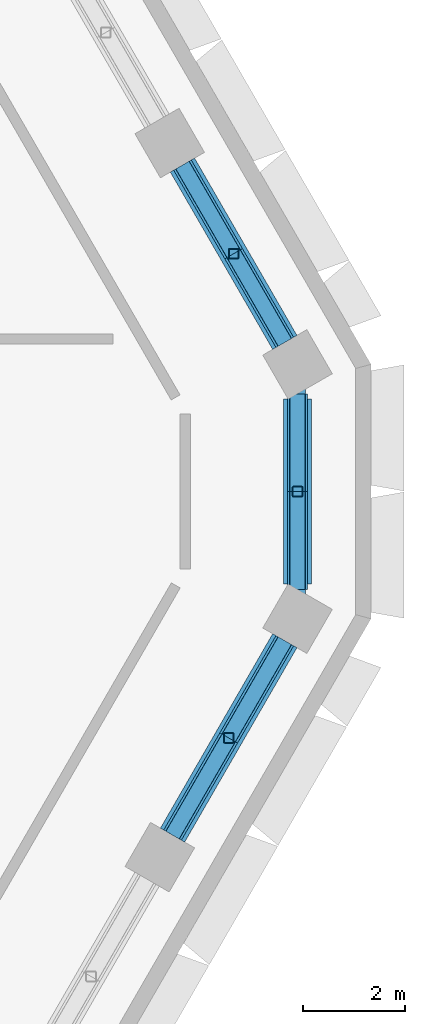
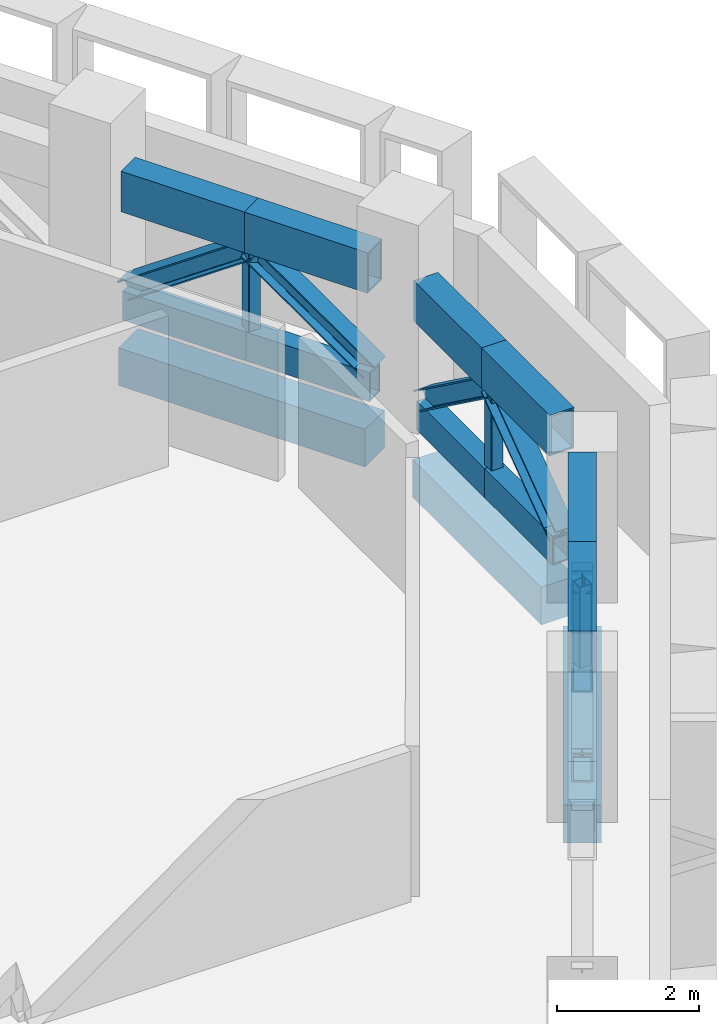
# One storey, part 6 of 23: 21 members, 3 beams.
"""IFC4 building model written with IfcOpenShell, lengths in metres."""

from ifc_helpers import new_model, si_unit, direction, frame, origin, origin_2d, place, context, subcontext, project, spatial, rectangle, hollow_rectangle, i_section, extrude, material, material_profile, profile_set, type_object, element, save


model = new_model("IFC4")

# Units and contexts
model_context = context("Model", 3, precision=1e-05, world=origin(), true_north=direction((0.0, 1.0)))
body_context = subcontext(model_context, "Body", "Model", "MODEL_VIEW")
ifc_project = project(units=[si_unit("LENGTHUNIT", "METRE"), si_unit("AREAUNIT", "SQUARE_METRE"), si_unit("VOLUMEUNIT", "CUBIC_METRE"), si_unit("PLANEANGLEUNIT", "RADIAN"), si_unit("MASSUNIT", "GRAM", prefix="KILO")], contexts=[model_context])

# Site, building, storey
site_placement = place(None, origin())
site = spatial("IfcSite", under=ifc_project, at=site_placement, CompositionType="ELEMENT")
building_placement = place(site_placement, origin())
building = spatial("IfcBuilding", under=site, at=building_placement, Name="Beryl Residences", CompositionType="ELEMENT")
storey_placement = place(building_placement, frame((0.0, 0.0, 108.0)))
storey = spatial("IfcBuildingStorey", under=building, at=storey_placement, Name="L33", CompositionType="ELEMENT", Elevation=108.0)

# Members
ifc_material_1 = material(Name="Steel S355", Category="steel")
ifc_material_profile_1 = material_profile(ifc_material_1, hollow_rectangle(XDim=0.300048828125, YDim=0.5, WallThickness=0.02490234375, at=origin_2d()))
ifc_profile_set_1 = profile_set([ifc_material_profile_1], Name="Steel S355")
member_type_1 = type_object("IfcMemberType", Name="BB2 belt truss bottom chord WB 500x300x25", PredefinedType="CHORD", material=ifc_profile_set_1)
member_1_placement = place(storey_placement, frame((25.257080078125, -7.75390625, 0.25), z_axis=(0.500255480495, 0.865877851798, 0.0), x_axis=(-0.865877851798, 0.500255480495, 0.0)))
element("IfcMember", 1, at=member_1_placement, inside=storey, type_object=member_type_1, Name="Outrigger truss BB2-SE-3a L33", PredefinedType="CHORD", context=body_context, shape_type="SweptSolid", body=[
    extrude(hollow_rectangle(XDim=0.300048828125, YDim=0.5, WallThickness=0.02490234375, at=origin_2d()), origin(), (0.0, 0.0, 1.0), 2.206787109375),
])
member_2_placement = place(storey_placement, frame((26.361083984375, -5.843017578125, 0.25), z_axis=(0.49987569747, 0.86609715799, 0.0), x_axis=(-0.86609715799, 0.49987569747, 0.0)))
element("IfcMember", 2, at=member_2_placement, inside=storey, type_object=member_type_1, Name="Outrigger truss BB2-SE-3b L33", PredefinedType="CHORD", context=body_context, shape_type="SweptSolid", body=[
    extrude(hollow_rectangle(XDim=0.300048828125, YDim=0.5, WallThickness=0.02490234375, at=origin_2d()), origin(), (0.0, 0.0, 1.0), 2.20654296875),
])
for number, where, z_axis, x_axis, name in (
    (3, (27.714111328125, -2.922119140625, 0.25), (0.0, 1.0, 0.0), (-1.0, 0.0, 0.0), "Outrigger truss BB2-SE-4a L33"),
    (4, (27.714111328125, -1.0, 0.25), (0.0, 1.0, 0.0), (-1.0, 0.0, 0.0), "Outrigger truss BB2-SE-4b L33"),
):
    element("IfcMember", number, at=place(storey_placement, frame(where, z_axis=z_axis, x_axis=x_axis)), inside=storey, type_object=member_type_1, Name=name, PredefinedType="CHORD", context=body_context, shape_type="SweptSolid", body=[
        extrude(hollow_rectangle(XDim=0.300048828125, YDim=0.5, WallThickness=0.02490234375, at=origin_2d()), origin(), (0.0, 0.0, 1.0), 1.922119140625),
    ])
member_3_placement = place(storey_placement, frame((27.464111328125, 1.931884765625, 0.25), z_axis=(-0.499883462157, 0.866092676486, 0.0), x_axis=(-0.866092676486, -0.499883462157, 0.0)))
element("IfcMember", 5, at=member_3_placement, inside=storey, type_object=member_type_1, Name="Outrigger truss BB2-NE-0a L33", PredefinedType="CHORD", context=body_context, shape_type="SweptSolid", body=[
    extrude(hollow_rectangle(XDim=0.300048828125, YDim=0.5, WallThickness=0.02490234375, at=origin_2d()), origin(), (0.0, 0.0, 1.0), 2.0126953125),
])
member_4_placement = place(storey_placement, frame((26.4580078125, 3.675048828125, 0.25), z_axis=(-0.500146161777, 0.865941000796, 0.0), x_axis=(-0.865941000796, -0.500146161777, 0.0)))
element("IfcMember", 6, at=member_4_placement, inside=storey, type_object=member_type_1, Name="Outrigger truss BB2-NE-0b L33", PredefinedType="CHORD", context=body_context, shape_type="SweptSolid", body=[
    extrude(hollow_rectangle(XDim=0.300048828125, YDim=0.5, WallThickness=0.02490234375, at=origin_2d()), origin(), (0.0, 0.0, 1.0), 2.01171875),
])
ifc_material_2 = material(Name="Steel S355", Category="steel")
ifc_material_profile_2 = material_profile(ifc_material_2, i_section(OverallWidth=0.30908203125, OverallDepth=0.320068359375, WebThickness=0.013916015625, FlangeThickness=0.021728515625, FilletRadius=0.0166015625, at=origin_2d()))
ifc_profile_set_2 = profile_set([ifc_material_profile_2], Name="Steel S355")
member_type_2 = type_object("IfcMemberType", Name="BD2 belt truss diagonal 310UC137", PredefinedType="BRACE", material=ifc_profile_set_2)
member_5_placement = place(storey_placement, frame((25.257080078125, -7.75390625, 0.5), z_axis=(0.422433910032, 0.731178729284, 0.535655913341), x_axis=(-0.865877851798, 0.500255480495, 0.0)))
element("IfcMember", 7, at=member_5_placement, inside=storey, type_object=member_type_2, Name="Outrigger truss BD2-SE-3a L33", PredefinedType="BRACE", context=body_context, shape_type="SweptSolid", body=[
    extrude(i_section(OverallWidth=0.30908203125, OverallDepth=0.320068359375, WebThickness=0.013916015625, FlangeThickness=0.021728515625, FilletRadius=0.0166015625, at=origin_2d()), origin(), (0.0, 0.0, 1.0), 2.613525390625),
])
member_6_placement = place(storey_placement, frame((27.464111328125, -3.931884765625, 0.5), z_axis=(-0.422098007616, -0.731337583801, 0.535703845876), x_axis=(0.86609715799, -0.49987569747, 0.0)))
element("IfcMember", 8, at=member_6_placement, inside=storey, type_object=member_type_2, Name="Outrigger truss BD2-SE-3b L33", PredefinedType="BRACE", context=body_context, shape_type="SweptSolid", body=[
    extrude(i_section(OverallWidth=0.30908203125, OverallDepth=0.320068359375, WebThickness=0.013916015625, FlangeThickness=0.021728515625, FilletRadius=0.0166015625, at=origin_2d()), origin(), (0.0, 0.0, 1.0), 2.61328125),
])
for number, where, z_axis, x_axis, name in (
    (9, (27.714111328125, -2.922119140625, 0.5), (0.0, 0.808336309515, 0.588720995651), (-1.0, 0.0, 0.0), "Outrigger truss BD2-SE-4a L33"),
    (10, (27.714111328125, 0.922119140625, 0.5), (0.0, -0.808336309515, 0.588720995651), (1.0, 0.0, 0.0), "Outrigger truss BD2-SE-4b L33"),
):
    element("IfcMember", number, at=place(storey_placement, frame(where, z_axis=z_axis, x_axis=x_axis)), inside=storey, type_object=member_type_2, Name=name, PredefinedType="BRACE", context=body_context, shape_type="SweptSolid", body=[
        extrude(i_section(OverallWidth=0.30908203125, OverallDepth=0.320068359375, WebThickness=0.013916015625, FlangeThickness=0.021728515625, FilletRadius=0.0166015625, at=origin_2d()), origin(), (0.0, 0.0, 1.0), 2.3779296875),
    ])
member_7_placement = place(storey_placement, frame((27.464111328125, 1.931884765625, 0.5), z_axis=(-0.410377979705, 0.711016446274, 0.571003963997), x_axis=(-0.866092676486, -0.499883462157, 0.0)))
element("IfcMember", 11, at=member_7_placement, inside=storey, type_object=member_type_2, Name="Outrigger truss BD2-NE-0a L33", PredefinedType="BRACE", context=body_context, shape_type="SweptSolid", body=[
    extrude(i_section(OverallWidth=0.30908203125, OverallDepth=0.320068359375, WebThickness=0.013916015625, FlangeThickness=0.021728515625, FilletRadius=0.0166015625, at=origin_2d()), origin(), (0.0, 0.0, 1.0), 2.45166015625),
])
member_8_placement = place(storey_placement, frame((25.451904296875, 5.4169921875, 0.5), z_axis=(0.41052328909, -0.710770120761, 0.571206148906), x_axis=(0.865941000796, 0.500146161777, 0.0)))
element("IfcMember", 12, at=member_8_placement, inside=storey, type_object=member_type_2, Name="Outrigger truss BD2-NE-0b L33", PredefinedType="BRACE", context=body_context, shape_type="SweptSolid", body=[
    extrude(i_section(OverallWidth=0.30908203125, OverallDepth=0.320068359375, WebThickness=0.013916015625, FlangeThickness=0.021728515625, FilletRadius=0.0166015625, at=origin_2d()), origin(), (0.0, 0.0, 1.0), 2.45068359375),
])
ifc_material_3 = material(Name="Steel S355", Category="steel")
ifc_material_profile_3 = material_profile(ifc_material_3, hollow_rectangle(XDim=0.199951171875, YDim=0.199951171875, WallThickness=0.009033203125, InnerFilletRadius=0.009033203125, OuterFilletRadius=0.01806640625, at=origin_2d()))
ifc_profile_set_3 = profile_set([ifc_material_profile_3], Name="Steel S355")
member_type_3 = type_object("IfcMemberType", Name="BQ2 belt truss post SHS 200x200x9", PredefinedType="POST", material=ifc_profile_set_3)
for number, where, z_axis, x_axis, name in (
    (13, (26.361083984375, -5.843017578125, 0.5), (0.0, 0.0, 1.0), (1.0, 0.0, 0.0), "Outrigger truss BQ2-SE-3 L33"),
    (14, (27.714111328125, -1.0, 0.5), (0.0, 0.0, 1.0), (1.0, 0.0, 0.0), "Outrigger truss BQ2-SE-4 L33"),
    (15, (26.4580078125, 3.675048828125, 0.5), (0.0, 0.0, 1.0), (1.0, 0.0, 0.0), "Outrigger truss BQ2-NE-0 L33"),
):
    element("IfcMember", number, at=place(storey_placement, frame(where, z_axis=z_axis, x_axis=x_axis)), inside=storey, type_object=member_type_3, Name=name, PredefinedType="POST", context=body_context, shape_type="SweptSolid", body=[
        extrude(hollow_rectangle(XDim=0.199951171875, YDim=0.199951171875, WallThickness=0.009033203125, InnerFilletRadius=0.009033203125, OuterFilletRadius=0.01806640625, at=origin_2d()), origin(), (0.0, 0.0, 1.0), 1.39990234375),
    ])
ifc_material_4 = material(Name="Steel S355", Category="steel")
ifc_material_profile_4 = material_profile(ifc_material_4, hollow_rectangle(XDim=0.39990234375, YDim=0.699951171875, WallThickness=0.030029296875, at=origin_2d()))
ifc_profile_set_4 = profile_set([ifc_material_profile_4], Name="Steel S355")
member_type_4 = type_object("IfcMemberType", Name="BT2 belt truss top chord WB 700x400x30", PredefinedType="CHORD", material=ifc_profile_set_4)
member_9_placement = place(storey_placement, frame((25.257080078125, -7.75390625, 2.25), z_axis=(0.500255480495, 0.865877851798, 0.0), x_axis=(-0.865877851798, 0.500255480495, 0.0)))
element("IfcMember", 16, at=member_9_placement, inside=storey, type_object=member_type_4, Name="Outrigger truss BT2-SE-3a L33", PredefinedType="CHORD", context=body_context, shape_type="SweptSolid", body=[
    extrude(hollow_rectangle(XDim=0.39990234375, YDim=0.699951171875, WallThickness=0.030029296875, at=origin_2d()), origin(), (0.0, 0.0, 1.0), 2.206787109375),
])
member_10_placement = place(storey_placement, frame((26.361083984375, -5.843017578125, 2.25), z_axis=(0.49987569747, 0.86609715799, 0.0), x_axis=(-0.86609715799, 0.49987569747, 0.0)))
element("IfcMember", 17, at=member_10_placement, inside=storey, type_object=member_type_4, Name="Outrigger truss BT2-SE-3b L33", PredefinedType="CHORD", context=body_context, shape_type="SweptSolid", body=[
    extrude(hollow_rectangle(XDim=0.39990234375, YDim=0.699951171875, WallThickness=0.030029296875, at=origin_2d()), origin(), (0.0, 0.0, 1.0), 2.20654296875),
])
for number, where, z_axis, x_axis, name in (
    (18, (27.714111328125, -2.922119140625, 2.25), (0.0, 1.0, 0.0), (-1.0, 0.0, 0.0), "Outrigger truss BT2-SE-4a L33"),
    (19, (27.714111328125, -1.0, 2.25), (0.0, 1.0, 0.0), (-1.0, 0.0, 0.0), "Outrigger truss BT2-SE-4b L33"),
):
    element("IfcMember", number, at=place(storey_placement, frame(where, z_axis=z_axis, x_axis=x_axis)), inside=storey, type_object=member_type_4, Name=name, PredefinedType="CHORD", context=body_context, shape_type="SweptSolid", body=[
        extrude(hollow_rectangle(XDim=0.39990234375, YDim=0.699951171875, WallThickness=0.030029296875, at=origin_2d()), origin(), (0.0, 0.0, 1.0), 1.922119140625),
    ])
member_11_placement = place(storey_placement, frame((27.464111328125, 1.931884765625, 2.25), z_axis=(-0.499883462157, 0.866092676486, 0.0), x_axis=(-0.866092676486, -0.499883462157, 0.0)))
element("IfcMember", 20, at=member_11_placement, inside=storey, type_object=member_type_4, Name="Outrigger truss BT2-NE-0a L33", PredefinedType="CHORD", context=body_context, shape_type="SweptSolid", body=[
    extrude(hollow_rectangle(XDim=0.39990234375, YDim=0.699951171875, WallThickness=0.030029296875, at=origin_2d()), origin(), (0.0, 0.0, 1.0), 2.0126953125),
])
member_12_placement = place(storey_placement, frame((26.4580078125, 3.675048828125, 2.25), z_axis=(-0.500146161777, 0.865941000796, 0.0), x_axis=(-0.865941000796, -0.500146161777, 0.0)))
element("IfcMember", 21, at=member_12_placement, inside=storey, type_object=member_type_4, Name="Outrigger truss BT2-NE-0b L33", PredefinedType="CHORD", context=body_context, shape_type="SweptSolid", body=[
    extrude(hollow_rectangle(XDim=0.39990234375, YDim=0.699951171875, WallThickness=0.030029296875, at=origin_2d()), origin(), (0.0, 0.0, 1.0), 2.01171875),
])

# Beams
ifc_material_5 = material(Name="Concrete C70/85", Category="concrete")
ifc_material_profile_5 = material_profile(ifc_material_5, rectangle(XDim=0.550048828125, YDim=0.64990234375, at=origin_2d()))
ifc_profile_set_5 = profile_set([ifc_material_profile_5], Name="Concrete C70/85")
beam_type = type_object("IfcBeamType", Name="SB2 spandrel beam 550 x 650 C70/85", PredefinedType="SPANDREL", material=ifc_profile_set_5)
beam_1_placement = place(storey_placement, frame((25.257080078125, -7.75390625, -0.72509765625), z_axis=(0.50006561292, 0.865987518834, 0.0), x_axis=(-0.865987518834, 0.50006561292, 0.0)))
element("IfcBeam", 22, at=beam_1_placement, inside=storey, type_object=beam_type, Name="SB2 L33 SE-3", PredefinedType="SPANDREL", context=body_context, shape_type="SweptSolid", body=[
    extrude(rectangle(XDim=0.550048828125, YDim=0.64990234375, at=origin_2d()), origin(), (0.0, 0.0, 1.0), 4.41357421875),
])
beam_2_placement = place(storey_placement, frame((27.714111328125, -2.81591796875, -0.72509765625), z_axis=(0.0, 1.0, 0.0), x_axis=(-1.0, 0.0, 0.0)))
element("IfcBeam", 23, at=beam_2_placement, inside=storey, type_object=beam_type, Name="SB2 L33 SE-4", PredefinedType="SPANDREL", context=body_context, shape_type="SweptSolid", body=[
    extrude(rectangle(XDim=0.550048828125, YDim=0.64990234375, at=origin_2d()), origin(), (0.0, 0.0, 1.0), 3.6318359375),
])
beam_3_placement = place(storey_placement, frame((27.464111328125, 1.931884765625, -0.72509765625), z_axis=(-0.500014783214, 0.866016868524, 0.0), x_axis=(-0.866016868524, -0.500014783214, 0.0)))
element("IfcBeam", 24, at=beam_3_placement, inside=storey, type_object=beam_type, Name="SB2 L33 NE-0", PredefinedType="SPANDREL", context=body_context, shape_type="SweptSolid", body=[
    extrude(rectangle(XDim=0.550048828125, YDim=0.64990234375, at=origin_2d()), origin(), (0.0, 0.0, 1.0), 4.0244140625),
])

save(model, "model.ifc")
